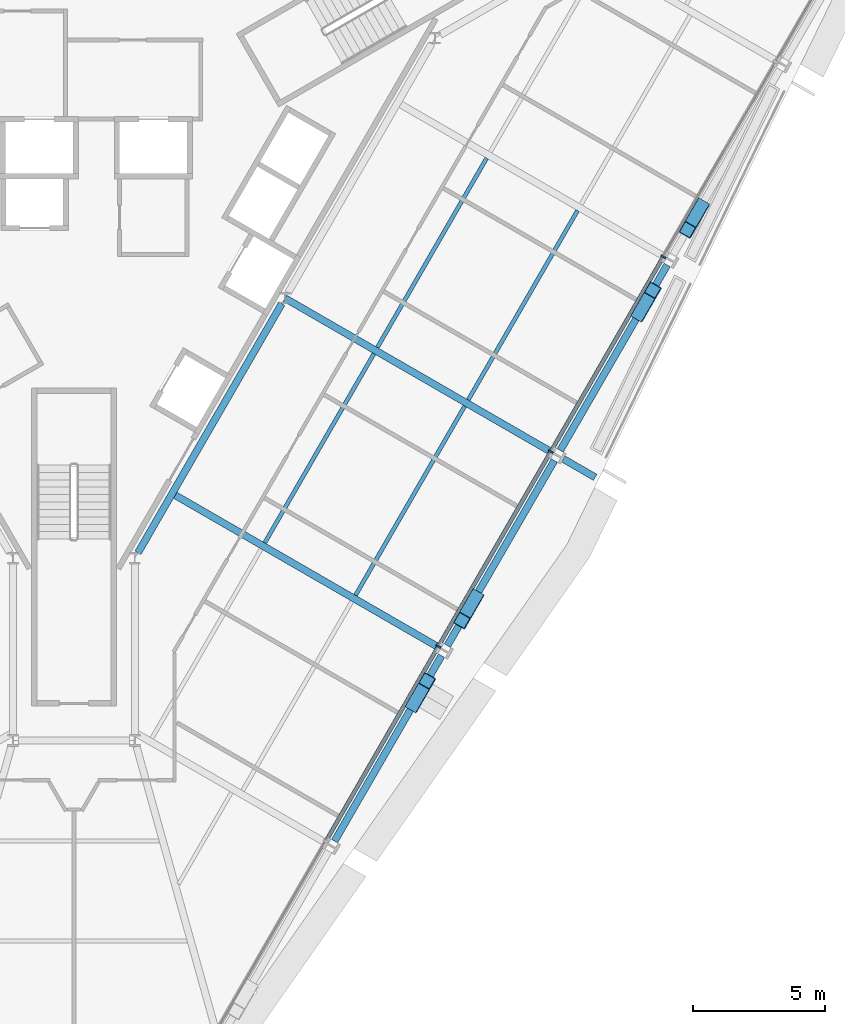
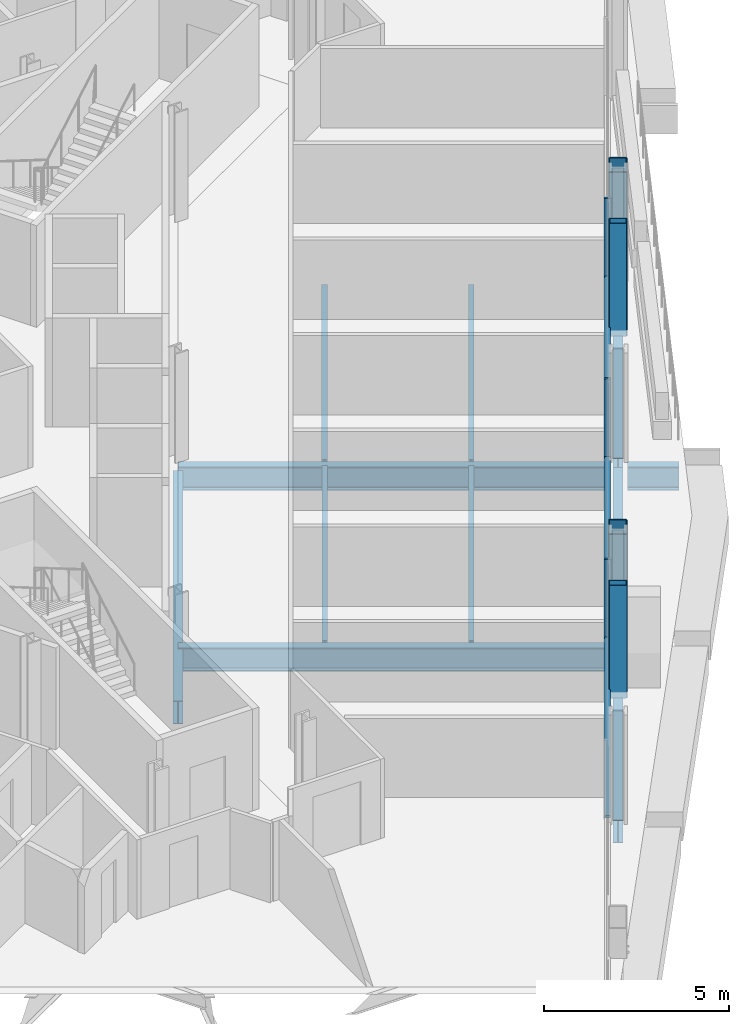
# One storey, part 5 of 18: 11 beams, 10 members, 1 element without a shape of its own.
"""IFC4 building model written with IfcOpenShell, lengths in metres."""

from ifc_helpers import new_model, si_unit, direction, frame, origin, origin_2d, place, context, subcontext, project, spatial, rectangle, hollow_rectangle, i_section, extrude, material, material_profile, profile_set, type_object, element, aggregate, save


model = new_model("IFC4")

# Units and contexts
model_context = context("Model", 3, precision=1e-05, world=origin(), true_north=direction((0.0, 1.0)))
body_context = subcontext(model_context, "Body", "Model", "MODEL_VIEW")
ifc_project = project(units=[si_unit("LENGTHUNIT", "METRE"), si_unit("AREAUNIT", "SQUARE_METRE"), si_unit("VOLUMEUNIT", "CUBIC_METRE"), si_unit("PLANEANGLEUNIT", "RADIAN"), si_unit("MASSUNIT", "GRAM", prefix="KILO")], contexts=[model_context])

# Site, building, storey
site_placement = place(None, origin())
site = spatial("IfcSite", under=ifc_project, at=site_placement, CompositionType="ELEMENT")
building_placement = place(site_placement, origin())
building = spatial("IfcBuilding", under=site, at=building_placement, Name="Verrane Prism Tower", CompositionType="ELEMENT")
storey_placement = place(building_placement, frame((0.0, 0.0, 54.800048828125)))
storey = spatial("IfcBuildingStorey", under=building, at=storey_placement, Name="L11", CompositionType="ELEMENT", Elevation=54.800048828125)

# Beam
ifc_material_1 = material(Name="Steel A992", Category="steel")
ifc_material_profile_1 = material_profile(ifc_material_1, i_section(OverallWidth=0.2666015625, OverallDepth=0.7568359375, WebThickness=0.013916015625, FlangeThickness=0.019287109375, FilletRadius=0.0166015625, at=origin_2d()), Name="W30x108")
ifc_profile_set_1 = profile_set([ifc_material_profile_1], Name="Steel A992")
beam_type_1 = type_object("IfcBeamType", Name="Core ring girder W30x108", PredefinedType="BEAM", material=ifc_profile_set_1)
beam_1_placement = place(storey_placement, frame((2.42041015625, -14.211669921875, -0.628662109375), z_axis=(0.500013103396, 0.866017838403, 0.0), x_axis=(-0.866017838403, 0.500013103396, 0.0)))
element("IfcBeam", 1, at=beam_1_placement, inside=storey, type_object=beam_type_1, Name="Core ring girder L11", PredefinedType="BEAM", context=body_context, shape_type="SweptSolid", body=[
    extrude(i_section(OverallWidth=0.2666015625, OverallDepth=0.7568359375, WebThickness=0.013916015625, FlangeThickness=0.019287109375, FilletRadius=0.0166015625, at=origin_2d()), origin(), (0.0, 0.0, 1.0), 10.858154296875),
])

# Members
ifc_material_2 = material(Name="Steel A1085 Grade A", Category="steel")
ifc_material_profile_2 = material_profile(ifc_material_2, hollow_rectangle(XDim=0.508056640625, YDim=0.508056640625, WallThickness=0.025390625, InnerFilletRadius=0.0126953125, OuterFilletRadius=0.0380859375, at=origin_2d()), Name="HSS20x20x1")
ifc_profile_set_2 = profile_set([ifc_material_profile_2], Name="Steel A1085 Grade A")
member_type_1 = type_object("IfcMemberType", Name="Facade brace HSS20x20x1", PredefinedType="BRACE", material=ifc_profile_set_2)
member_1_placement = place(storey_placement, frame((12.822998046875, -19.931884765625, -0.24267578125), z_axis=(0.160063284951, 0.277458403165, 0.947310181157), x_axis=(-0.866197573001, 0.49970167553, 0.0)))
element("IfcMember", 2, at=member_1_placement, inside=storey, type_object=member_type_1, Name="Facade brace SE1 L11", PredefinedType="BRACE", context=body_context, shape_type="SweptSolid", body=[
    extrude(hollow_rectangle(XDim=0.508056640625, YDim=0.508056640625, WallThickness=0.025390625, InnerFilletRadius=0.0126953125, OuterFilletRadius=0.0380859375, at=origin_2d()), origin(), (0.0, 0.0, 1.0), 3.175537109375),
])
member_2_placement = place(storey_placement, frame((15.156982421875, -15.890869140625, -0.24267578125), z_axis=(-0.160083757599, -0.277032554577, 0.947431345406), x_axis=(0.865837313025, -0.500325641332, 0.0)))
element("IfcMember", 3, at=member_2_placement, inside=storey, type_object=member_type_1, Name="Facade brace SE2 L11", PredefinedType="BRACE", context=body_context, shape_type="SweptSolid", body=[
    extrude(hollow_rectangle(XDim=0.508056640625, YDim=0.508056640625, WallThickness=0.025390625, InnerFilletRadius=0.0126953125, OuterFilletRadius=0.0380859375, at=origin_2d()), origin(), (0.0, 0.0, 1.0), 3.17529296875),
])
member_3_placement = place(storey_placement, frame((21.343017578125, -5.181884765625, -0.24267578125), z_axis=(0.160063284951, 0.277458403165, 0.947310181157), x_axis=(-0.866197573001, 0.49970167553, 0.0)))
element("IfcMember", 4, at=member_3_placement, inside=storey, type_object=member_type_1, Name="Facade brace SE3 L11", PredefinedType="BRACE", context=body_context, shape_type="SweptSolid", body=[
    extrude(hollow_rectangle(XDim=0.508056640625, YDim=0.508056640625, WallThickness=0.025390625, InnerFilletRadius=0.0126953125, OuterFilletRadius=0.0380859375, at=origin_2d()), origin(), (0.0, 0.0, 1.0), 3.175537109375),
])
member_4_placement = place(storey_placement, frame((23.67431640625, -1.13818359375, -0.24267578125), z_axis=(-0.159767031091, -0.277401081894, 0.947376976467), x_axis=(0.866553211731, -0.499084693453, 0.0)))
element("IfcMember", 5, at=member_4_placement, inside=storey, type_object=member_type_1, Name="Facade brace SE4 L11", PredefinedType="BRACE", context=body_context, shape_type="SweptSolid", body=[
    extrude(hollow_rectangle(XDim=0.508056640625, YDim=0.508056640625, WallThickness=0.025390625, InnerFilletRadius=0.0126953125, OuterFilletRadius=0.0380859375, at=origin_2d()), origin(), (0.0, 0.0, 1.0), 3.17529296875),
])

# Beams
ifc_material_3 = material(Name="Steel A992", Category="steel")
ifc_material_profile_3 = material_profile(ifc_material_3, i_section(OverallWidth=0.15234375, OverallDepth=0.449462890625, WebThickness=0.007568359375, FlangeThickness=0.0107421875, FilletRadius=0.01025390625, at=origin_2d()), Name="W18x35")
ifc_profile_set_3 = profile_set([ifc_material_profile_3], Name="Steel A992")
beam_type_2 = type_object("IfcBeamType", Name="Floor beam W18x35", PredefinedType="BEAM", material=ifc_profile_set_3)
beam_2_placement = place(storey_placement, frame((10.63232421875, -15.819091796875, -0.384765625), z_axis=(0.499994031393, 0.866028849734, 0.0), x_axis=(-0.866028849734, 0.499994031393, 0.0)))
element("IfcBeam", 6, at=beam_2_placement, inside=storey, type_object=beam_type_2, Name="Floor beam L11", PredefinedType="BEAM", context=body_context, shape_type="SweptSolid", body=[
    extrude(i_section(OverallWidth=0.15234375, OverallDepth=0.449462890625, WebThickness=0.007568359375, FlangeThickness=0.0107421875, FilletRadius=0.01025390625, at=origin_2d()), origin(), (0.0, 0.0, 1.0), 8.24853515625),
])
beam_3_placement = place(storey_placement, frame((7.2041015625, -13.841552734375, -0.384765625), z_axis=(0.499999059579, 0.866025946736, 0.0), x_axis=(-0.866025946736, 0.499999059579, 0.0)))
element("IfcBeam", 7, at=beam_3_placement, inside=storey, type_object=beam_type_2, Name="Floor beam L11", PredefinedType="BEAM", context=body_context, shape_type="SweptSolid", body=[
    extrude(i_section(OverallWidth=0.15234375, OverallDepth=0.449462890625, WebThickness=0.007568359375, FlangeThickness=0.0107421875, FilletRadius=0.01025390625, at=origin_2d()), origin(), (0.0, 0.0, 1.0), 8.25146484375),
])
beam_4_placement = place(storey_placement, frame((14.887451171875, -8.44287109375, -0.384765625), z_axis=(0.499992194788, 0.866029910079, 0.0), x_axis=(-0.866029910079, 0.499992194788, 0.0)))
element("IfcBeam", 8, at=beam_4_placement, inside=storey, type_object=beam_type_2, Name="Floor beam L11", PredefinedType="BEAM", context=body_context, shape_type="SweptSolid", body=[
    extrude(i_section(OverallWidth=0.15234375, OverallDepth=0.449462890625, WebThickness=0.007568359375, FlangeThickness=0.0107421875, FilletRadius=0.01025390625, at=origin_2d()), origin(), (0.0, 0.0, 1.0), 8.252685546875),
])
beam_5_placement = place(storey_placement, frame((11.4580078125, -6.461181640625, -0.384765625), z_axis=(0.500002492643, 0.866023964651, 0.0), x_axis=(-0.866023964651, 0.500002492643, 0.0)))
element("IfcBeam", 9, at=beam_5_placement, inside=storey, type_object=beam_type_2, Name="Floor beam L11", PredefinedType="BEAM", context=body_context, shape_type="SweptSolid", body=[
    extrude(i_section(OverallWidth=0.15234375, OverallDepth=0.449462890625, WebThickness=0.007568359375, FlangeThickness=0.0107421875, FilletRadius=0.01025390625, at=origin_2d()), origin(), (0.0, 0.0, 1.0), 8.2509765625),
])

# Curtain wall, members
ifc_material_4 = material(Name="Aluminium framed insulated glazing", Category="aluminium")
curtain_wall_type = type_object("IfcCurtainWallType", Name="Curtain wall CW-A 8400 module", PredefinedType="NOTDEFINED", material=ifc_material_4)
curtain_wall_placement = place(storey_placement, origin())
curtain_wall = element("IfcCurtainWall", 10, at=curtain_wall_placement, inside=storey, type_object=curtain_wall_type, Name="Glazed curtain wall south-east face L11", PredefinedType="NOTDEFINED")
ifc_material_5 = material(Name="Aluminium alloy 6063-T6", Category="aluminium")
ifc_material_profile_4 = material_profile(ifc_material_5, rectangle(XDim=0.199951171875, YDim=0.070068359375, at=origin_2d()), Name="Mullion 70x200 aluminium")
ifc_profile_set_4 = profile_set([ifc_material_profile_4], Name="Aluminium alloy 6063-T6")
member_type_2 = type_object("IfcMemberType", Name="Mullion 70x200 aluminium", PredefinedType="MULLION", material=ifc_profile_set_4)
member_5_placement = place(storey_placement, frame((13.759521484375, -17.74951171875, 0.0), z_axis=(0.0, 0.0, 1.0), x_axis=(-0.866025694591, 0.499999496308, 0.0)))
member_5 = element("IfcMember", 11, at=member_5_placement, type_object=member_type_2, Name="CW09.6 mullion 3", PredefinedType="MULLION", context=body_context, shape_type="SweptSolid", body=[
    extrude(rectangle(XDim=0.199951171875, YDim=0.070068359375, at=origin_2d()), origin(), (0.0, 0.0, 1.0), 2.61279296875),
])
member_6_placement = place(storey_placement, frame((18.005615234375, -10.3955078125, 0.0), z_axis=(0.0, 0.0, 1.0), x_axis=(-0.866025694591, 0.499999496308, 0.0)))
member_6 = element("IfcMember", 12, at=member_6_placement, type_object=member_type_2, Name="CW09.6 mullion 4", PredefinedType="MULLION", context=body_context, shape_type="SweptSolid", body=[
    extrude(rectangle(XDim=0.199951171875, YDim=0.070068359375, at=origin_2d()), origin(), (0.0, 0.0, 1.0), 2.61279296875),
])
member_7_placement = place(storey_placement, frame((22.25146484375, -3.04150390625, 0.0), z_axis=(0.0, 0.0, 1.0), x_axis=(-0.866025694591, 0.499999496308, 0.0)))
member_7 = element("IfcMember", 13, at=member_7_placement, type_object=member_type_2, Name="CW09.6 mullion 5", PredefinedType="MULLION", context=body_context, shape_type="SweptSolid", body=[
    extrude(rectangle(XDim=0.199951171875, YDim=0.070068359375, at=origin_2d()), origin(), (0.0, 0.0, 1.0), 2.61279296875),
])

# Beams
ifc_material_6 = material(Name="Steel A992", Category="steel")
ifc_material_profile_5 = material_profile(ifc_material_6, i_section(OverallWidth=0.2666015625, OverallDepth=0.76708984375, WebThickness=0.014892578125, FlangeThickness=0.023681640625, FilletRadius=0.0166015625, at=origin_2d()), Name="W30x124")
ifc_profile_set_5 = profile_set([ifc_material_profile_5], Name="Steel A992")
beam_type_3 = type_object("IfcBeamType", Name="Radial girder W30x124", PredefinedType="BEAM", material=ifc_profile_set_5)
beam_6_placement = place(storey_placement, frame((13.760009765625, -17.77734375, -0.603515625), z_axis=(-0.86601774804, 0.500013259905, 0.0), x_axis=(-0.500013259905, -0.86601774804, 0.0)))
element("IfcBeam", 14, at=beam_6_placement, inside=storey, type_object=beam_type_3, Name="Radial girder L11", PredefinedType="BEAM", context=body_context, shape_type="SweptSolid", body=[
    extrude(i_section(OverallWidth=0.2666015625, OverallDepth=0.76708984375, WebThickness=0.014892578125, FlangeThickness=0.023681640625, FilletRadius=0.0166015625, at=origin_2d()), origin(), (0.0, 0.0, 1.0), 11.603271484375),
])
beam_7_placement = place(storey_placement, frame((18.02001953125, -10.4072265625, -0.603515625), z_axis=(-0.866018505729, 0.500011947592, 0.0), x_axis=(-0.500011947592, -0.866018505729, 0.0)))
element("IfcBeam", 15, at=beam_7_placement, inside=storey, type_object=beam_type_3, Name="Radial girder L11", PredefinedType="BEAM", context=body_context, shape_type="SweptSolid", body=[
    extrude(i_section(OverallWidth=0.2666015625, OverallDepth=0.76708984375, WebThickness=0.014892578125, FlangeThickness=0.023681640625, FilletRadius=0.0166015625, at=origin_2d()), origin(), (0.0, 0.0, 1.0), 11.607177734375),
])
beam_8_placement = place(storey_placement, frame((18.476318359375, -10.670654296875, -0.603515625), z_axis=(0.866047903128, -0.499961027969, 0.0), x_axis=(0.499961027969, 0.866047903128, 0.0)))
element("IfcBeam", 16, at=beam_8_placement, inside=storey, type_object=beam_type_3, Name="Cantilever girder L11", PredefinedType="BEAM", context=body_context, shape_type="SweptSolid", body=[
    extrude(i_section(OverallWidth=0.2666015625, OverallDepth=0.76708984375, WebThickness=0.014892578125, FlangeThickness=0.023681640625, FilletRadius=0.0166015625, at=origin_2d()), origin(), (0.0, 0.0, 1.0), 1.3876953125),
])
ifc_material_7 = material(Name="Steel A992", Category="steel")
ifc_material_profile_6 = material_profile(ifc_material_7, i_section(OverallWidth=0.2666015625, OverallDepth=0.7568359375, WebThickness=0.013916015625, FlangeThickness=0.019287109375, FilletRadius=0.0166015625, at=origin_2d()), Name="W30x108")
ifc_profile_set_6 = profile_set([ifc_material_profile_6], Name="Steel A992")
beam_type_4 = type_object("IfcBeamType", Name="Spandrel beam W30x108", PredefinedType="SPANDREL", material=ifc_profile_set_6)
beam_9_placement = place(storey_placement, frame((9.840576171875, -25.0986328125, -0.53857421875), z_axis=(0.499899459246, 0.866083443235, 0.0), x_axis=(-0.866083443235, 0.499899459246, 0.0)))
element("IfcBeam", 17, at=beam_9_placement, inside=storey, type_object=beam_type_4, Name="Spandrel beam L11", PredefinedType="SPANDREL", context=body_context, shape_type="SweptSolid", body=[
    extrude(i_section(OverallWidth=0.2666015625, OverallDepth=0.7568359375, WebThickness=0.013916015625, FlangeThickness=0.019287109375, FilletRadius=0.0166015625, at=origin_2d()), origin(), (0.0, 0.0, 1.0), 8.079345703125),
])
beam_10_placement = place(storey_placement, frame((14.1005859375, -17.71875, -0.53857421875), z_axis=(0.500423240289, 0.865780907955, 0.0), x_axis=(-0.865780907955, 0.500423240289, 0.0)))
element("IfcBeam", 18, at=beam_10_placement, inside=storey, type_object=beam_type_4, Name="Spandrel beam L11", PredefinedType="SPANDREL", context=body_context, shape_type="SweptSolid", body=[
    extrude(i_section(OverallWidth=0.2666015625, OverallDepth=0.7568359375, WebThickness=0.013916015625, FlangeThickness=0.019287109375, FilletRadius=0.0166015625, at=origin_2d()), origin(), (0.0, 0.0, 1.0), 8.07080078125),
])
beam_11_placement = place(storey_placement, frame((18.360595703125, -10.3486328125, -0.53857421875), z_axis=(0.499899459246, 0.866083443235, 0.0), x_axis=(-0.866083443235, 0.499899459246, 0.0)))
element("IfcBeam", 19, at=beam_11_placement, inside=storey, type_object=beam_type_4, Name="Spandrel beam L11", PredefinedType="SPANDREL", context=body_context, shape_type="SweptSolid", body=[
    extrude(i_section(OverallWidth=0.2666015625, OverallDepth=0.7568359375, WebThickness=0.013916015625, FlangeThickness=0.019287109375, FilletRadius=0.0166015625, at=origin_2d()), origin(), (0.0, 0.0, 1.0), 8.079345703125),
])

# Member
ifc_material_8 = material(Name="Aluminium alloy 6063-T6", Category="aluminium")
ifc_material_profile_7 = material_profile(ifc_material_8, rectangle(XDim=0.14990234375, YDim=0.070068359375, at=origin_2d()), Name="Transom 70x150 aluminium")
ifc_profile_set_7 = profile_set([ifc_material_profile_7], Name="Aluminium alloy 6063-T6")
member_type_3 = type_object("IfcMemberType", Name="Transom 70x150 aluminium", PredefinedType="USERDEFINED", material=ifc_profile_set_7)
member_8_placement = place(storey_placement, frame((9.53125, -25.0732421875, 0.034912109375), z_axis=(0.500005175824, 0.866022415501, 0.0), x_axis=(-0.866022415501, 0.500005175824, 0.0)))
member_8 = element("IfcMember", 20, at=member_8_placement, type_object=member_type_3, Name="CW09.6 transom 2", ObjectType="TRANSOM", PredefinedType="USERDEFINED", context=body_context, shape_type="SweptSolid", body=[
    extrude(rectangle(XDim=0.14990234375, YDim=0.070068359375, at=origin_2d()), origin(), (0.0, 0.0, 1.0), 8.421875),
])

member_9_placement = place(storey_placement, frame((13.777099609375, -17.71923828125, 0.034912109375), z_axis=(0.500005175824, 0.866022415501, 0.0), x_axis=(-0.866022415501, 0.500005175824, 0.0)))
member_9 = element("IfcMember", 21, at=member_9_placement, type_object=member_type_3, Name="CW09.6 transom 3", ObjectType="TRANSOM", PredefinedType="USERDEFINED", context=body_context, shape_type="SweptSolid", body=[
    extrude(rectangle(XDim=0.14990234375, YDim=0.070068359375, at=origin_2d()), origin(), (0.0, 0.0, 1.0), 8.421875),
])

member_10_placement = place(storey_placement, frame((18.02294921875, -10.365234375, 0.034912109375), z_axis=(0.500005175824, 0.866022415501, 0.0), x_axis=(-0.866022415501, 0.500005175824, 0.0)))
member_10 = element("IfcMember", 22, at=member_10_placement, type_object=member_type_3, Name="CW09.6 transom 4", ObjectType="TRANSOM", PredefinedType="USERDEFINED", context=body_context, shape_type="SweptSolid", body=[
    extrude(rectangle(XDim=0.14990234375, YDim=0.070068359375, at=origin_2d()), origin(), (0.0, 0.0, 1.0), 8.421875),
])

aggregate(curtain_wall, [member_5, member_6, member_7, member_8, member_9, member_10])

save(model, "model.ifc")
